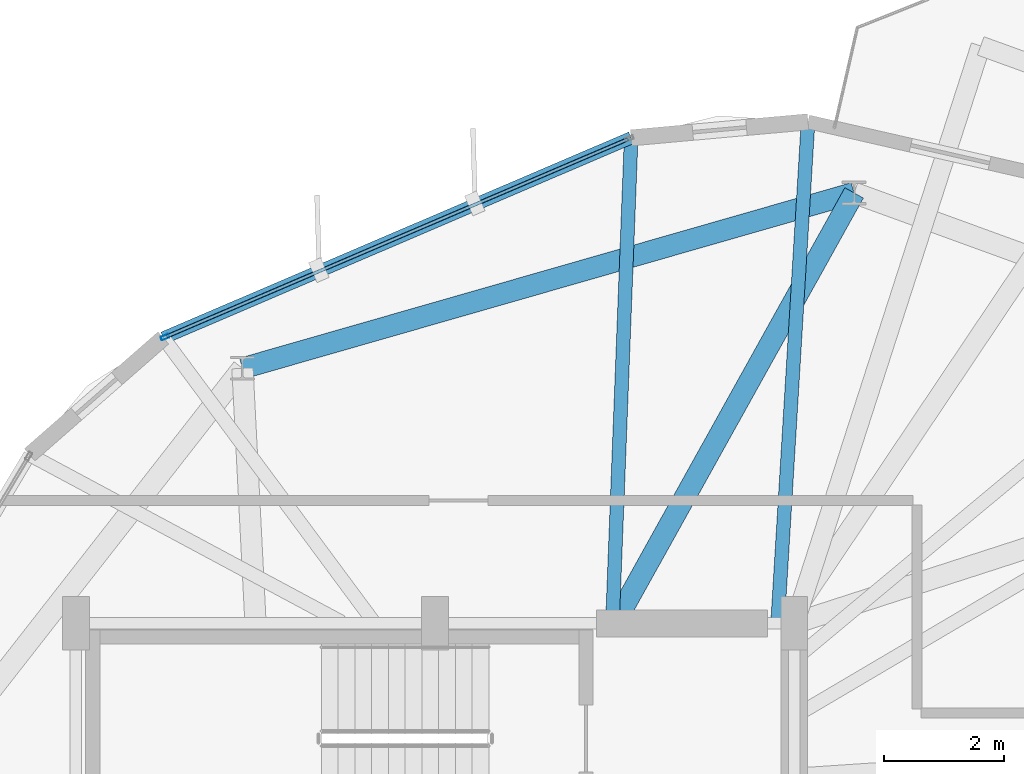
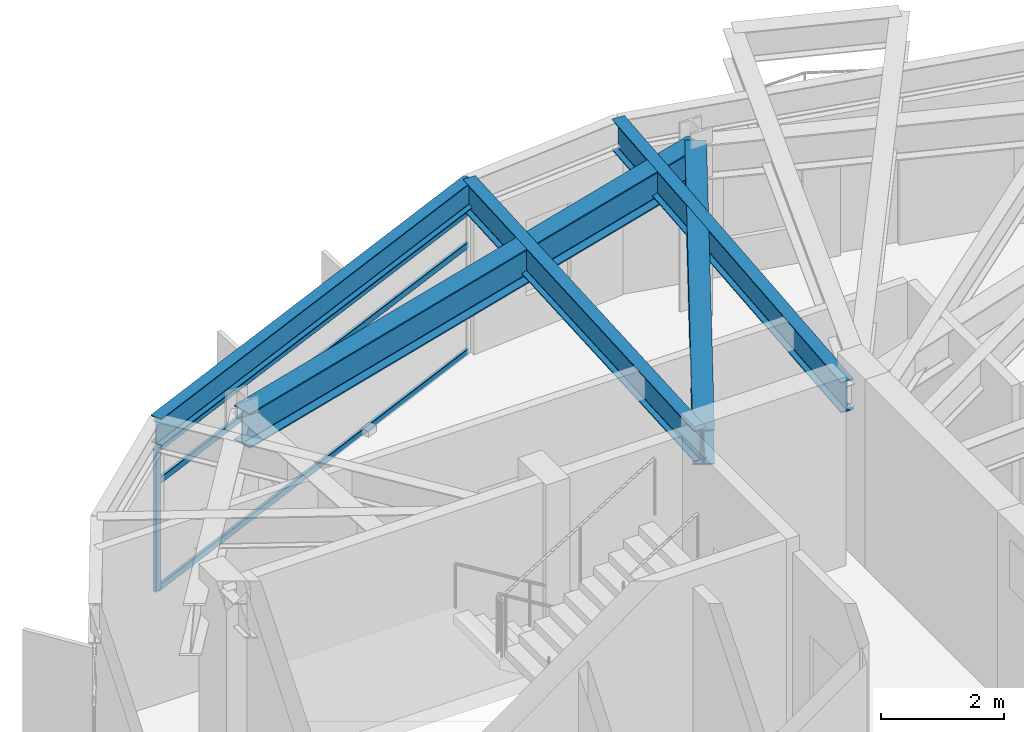
# One storey, part 14 of 23: 5 beams, 4 members, 1 element without a shape of its own.
"""IFC4 building model written with IfcOpenShell, lengths in metres."""

from ifc_helpers import new_model, si_unit, direction, frame, origin, origin_2d, place, context, subcontext, project, spatial, hollow_rectangle, i_section, extrude, material, layer, layer_set, material_profile, profile_set, type_object, element, aggregate, save


model = new_model("IFC4")

# Units and contexts
model_context = context("Model", 3, precision=1e-05, world=origin(), true_north=direction((0.0, 1.0)))
body_context = subcontext(model_context, "Body", "Model", "MODEL_VIEW")
ifc_project = project(units=[si_unit("LENGTHUNIT", "METRE"), si_unit("AREAUNIT", "SQUARE_METRE"), si_unit("VOLUMEUNIT", "CUBIC_METRE"), si_unit("PLANEANGLEUNIT", "RADIAN"), si_unit("MASSUNIT", "GRAM", prefix="KILO")], contexts=[model_context])

# Site, building, storey
site_placement = place(None, origin())
site = spatial("IfcSite", under=ifc_project, at=site_placement, CompositionType="ELEMENT")
building_placement = place(site_placement, origin())
building = spatial("IfcBuilding", under=site, at=building_placement, Name="Soratama Intermodal Tower", CompositionType="ELEMENT")
storey_placement = place(building_placement, frame((0.0, 0.0, 250.0)))
storey = spatial("IfcBuildingStorey", under=building, at=storey_placement, Name="L63", CompositionType="ELEMENT", Elevation=250.0)

# Beams
ifc_material_1 = material(Name="Structural steel ASTM A992 Grade 50", Category="steel")
ifc_material_profile_1 = material_profile(ifc_material_1, i_section(OverallWidth=0.35498046875, OverallDepth=0.695068359375, WebThickness=0.015380859375, FlangeThickness=0.02490234375, FilletRadius=0.01611328125, at=origin_2d()), Name="W27X146")
ifc_profile_set_1 = profile_set([ifc_material_profile_1], Name="Structural steel ASTM A992 Grade 50")
beam_type_1 = type_object("IfcBeamType", Name="BM-RING-W27X146", PredefinedType="BEAM", material=ifc_profile_set_1)
beam_1_placement = place(storey_placement, frame((45.60009765625, 42.18994140625, 3.1025390625), z_axis=(-0.961238292127, -0.275718961532, 0.0), x_axis=(0.275718961532, -0.961238292127, 0.0)))
element("IfcBeam", 1, at=beam_1_placement, inside=storey, type_object=beam_type_1, Name="BM-L63-RING-03", PredefinedType="BEAM", context=body_context, shape_type="SweptSolid", body=[
    extrude(i_section(OverallWidth=0.35498046875, OverallDepth=0.695068359375, WebThickness=0.015380859375, FlangeThickness=0.02490234375, FilletRadius=0.01611328125, at=origin_2d()), origin(), (0.0, 0.0, 1.0), 10.630126953125),
])
beam_2_placement = place(storey_placement, frame((41.60009765625, 35.0, 3.1025390625), z_axis=(0.486161842523, 0.873868790423, 0.0), x_axis=(-0.873868790423, 0.486161842523, 0.0)))
element("IfcBeam", 2, at=beam_2_placement, inside=storey, type_object=beam_type_1, Name="BM-L63-RAD-03", PredefinedType="BEAM", context=body_context, shape_type="SweptSolid", body=[
    extrude(i_section(OverallWidth=0.35498046875, OverallDepth=0.695068359375, WebThickness=0.015380859375, FlangeThickness=0.02490234375, FilletRadius=0.01611328125, at=origin_2d()), origin(), (0.0, 0.0, 1.0), 8.227783203125),
])
ifc_material_2 = material(Name="Structural steel ASTM A992 Grade 50", Category="steel")
ifc_material_profile_2 = material_profile(ifc_material_2, i_section(OverallWidth=0.2099609375, OverallDepth=0.537109375, WebThickness=0.010986328125, FlangeThickness=0.017333984375, FilletRadius=0.012939453125, at=origin_2d()), Name="W21X68")
ifc_profile_set_2 = profile_set([ifc_material_profile_2], Name="Structural steel ASTM A992 Grade 50")
beam_type_2 = type_object("IfcBeamType", Name="BM-SPN-W21X68", PredefinedType="SPANDREL", material=ifc_profile_set_2)
beam_3_placement = place(storey_placement, frame((41.875, 43.110107421875, 3.181396484375), z_axis=(-0.919410752321, -0.393298701391, 0.0), x_axis=(0.393298701391, -0.919410752321, 0.0)))
element("IfcBeam", 3, at=beam_3_placement, inside=storey, type_object=beam_type_2, Name="BS-L63-F02", PredefinedType="SPANDREL", context=body_context, shape_type="SweptSolid", body=[
    extrude(i_section(OverallWidth=0.2099609375, OverallDepth=0.537109375, WebThickness=0.010986328125, FlangeThickness=0.017333984375, FilletRadius=0.012939453125, at=origin_2d()), origin(), (0.0, 0.0, 1.0), 8.5),
])
ifc_material_3 = material(Name="Structural steel ASTM A992 Grade 50", Category="steel")
ifc_material_profile_3 = material_profile(ifc_material_3, i_section(OverallWidth=0.22900390625, OverallDepth=0.612060546875, WebThickness=0.011962890625, FlangeThickness=0.01953125, FilletRadius=0.012939453125, at=origin_2d()), Name="W24X84")
ifc_profile_set_3 = profile_set([ifc_material_profile_3], Name="Structural steel ASTM A992 Grade 50")
beam_type_3 = type_object("IfcBeamType", Name="BM-TIE-W24X84", PredefinedType="BEAM", material=ifc_profile_set_3)
beam_4_placement = place(storey_placement, frame((44.323974609375, 35.0400390625, 3.14404296875), z_axis=(0.060594786048, 0.998162447653, 0.0), x_axis=(-0.998162447653, 0.060594786048, 0.0)))
element("IfcBeam", 4, at=beam_4_placement, inside=storey, type_object=beam_type_3, Name="BM-L63-TIE1-01", PredefinedType="BEAM", context=body_context, shape_type="SweptSolid", body=[
    extrude(i_section(OverallWidth=0.22900390625, OverallDepth=0.612060546875, WebThickness=0.011962890625, FlangeThickness=0.01953125, FilletRadius=0.012939453125, at=origin_2d()), origin(), (0.0, 0.0, 1.0), 8.352294921875),
])
beam_5_placement = place(storey_placement, frame((41.56396484375, 35.0400390625, 3.14404296875), z_axis=(0.038513229681, 0.999258090355, 0.0), x_axis=(-0.999258090355, 0.038513229681, 0.0)))
element("IfcBeam", 5, at=beam_5_placement, inside=storey, type_object=beam_type_3, Name="BM-L63-TIE0-02", PredefinedType="BEAM", context=body_context, shape_type="SweptSolid", body=[
    extrude(i_section(OverallWidth=0.22900390625, OverallDepth=0.612060546875, WebThickness=0.011962890625, FlangeThickness=0.01953125, FilletRadius=0.012939453125, at=origin_2d()), origin(), (0.0, 0.0, 1.0), 8.076171875),
])

# Curtain wall, members
ifc_material_4 = material(Name="Double-glazed aluminium curtain wall", Category="aluminium")
ifc_layer = layer(ifc_material_4, 0.159912109375)
ifc_layer_set = layer_set([ifc_layer], Name="Double-glazed aluminium curtain wall")
curtain_wall_type = type_object("IfcCurtainWallType", Name="CW-SYS-5", PredefinedType="NOTDEFINED", material=ifc_layer_set)
curtain_wall_placement = place(storey_placement, origin())
curtain_wall = element("IfcCurtainWall", 6, at=curtain_wall_placement, inside=storey, type_object=curtain_wall_type, Name="L63 Faceted Curtain Wall F02", PredefinedType="NOTDEFINED")
ifc_material_5 = material(Name="Anodised aluminium AA 6063-T6", Category="aluminium")
ifc_material_profile_4 = material_profile(ifc_material_5, hollow_rectangle(XDim=0.06494140625, YDim=0.139892578125, WallThickness=0.0048828125, InnerFilletRadius=0.0048828125, OuterFilletRadius=0.010009765625, at=origin_2d()), Name="CWM140X65X5")
ifc_profile_set_4 = profile_set([ifc_material_profile_4], Name="Anodised aluminium AA 6063-T6")
member_type_1 = type_object("IfcMemberType", Name="MT-CWM-5", PredefinedType="MULLION", material=ifc_profile_set_4)
member_1_placement = place(storey_placement, frame((34.087890625, 39.779296875, 0.0), z_axis=(0.0, 0.0, 1.0), x_axis=(0.393298714752, -0.919410746606, 0.0)))
member_1 = element("IfcMember", 7, at=member_1_placement, type_object=member_type_1, Name="CW-5 mullion 2", PredefinedType="MULLION", context=body_context, shape_type="SweptSolid", body=[
    extrude(hollow_rectangle(XDim=0.06494140625, YDim=0.139892578125, WallThickness=0.0048828125, InnerFilletRadius=0.0048828125, OuterFilletRadius=0.010009765625, at=origin_2d()), origin(), (0.0, 0.0, 1.0), 2.8291015625),
])
ifc_material_6 = material(Name="Anodised aluminium AA 6063-T6", Category="aluminium")
ifc_material_profile_5 = material_profile(ifc_material_6, hollow_rectangle(XDim=0.06005859375, YDim=0.1298828125, WallThickness=0.0048828125, InnerFilletRadius=0.0048828125, OuterFilletRadius=0.010009765625, at=origin_2d()), Name="CWT130X60X5")
ifc_profile_set_5 = profile_set([ifc_material_profile_5], Name="Anodised aluminium AA 6063-T6")
member_type_2 = type_object("IfcMemberType", Name="TT-CWT-2", PredefinedType="USERDEFINED", material=ifc_profile_set_5)
member_2_placement = place(storey_placement, frame((41.820068359375, 43.0869140625, 0.030029296875), z_axis=(-0.919407031331, -0.393307399802, 0.0), x_axis=(0.393307399802, -0.919407031331, 0.0)))
member_2 = element("IfcMember", 8, at=member_2_placement, type_object=member_type_2, Name="CW-5 transom 1.1", ObjectType="TRANSOM", PredefinedType="USERDEFINED", context=body_context, shape_type="SweptSolid", body=[
    extrude(hollow_rectangle(XDim=0.06005859375, YDim=0.1298828125, WallThickness=0.0048828125, InnerFilletRadius=0.0048828125, OuterFilletRadius=0.010009765625, at=origin_2d()), origin(), (0.0, 0.0, 1.0), 8.3798828125),
])
member_3_placement = place(storey_placement, frame((41.820068359375, 43.0869140625, 2.14990234375), z_axis=(-0.919407031331, -0.393307399802, 0.0), x_axis=(0.393307399802, -0.919407031331, 0.0)))
member_3 = element("IfcMember", 9, at=member_3_placement, type_object=member_type_2, Name="CW-5 transom 1.2", ObjectType="TRANSOM", PredefinedType="USERDEFINED", context=body_context, shape_type="SweptSolid", body=[
    extrude(hollow_rectangle(XDim=0.06005859375, YDim=0.1298828125, WallThickness=0.0048828125, InnerFilletRadius=0.0048828125, OuterFilletRadius=0.010009765625, at=origin_2d()), origin(), (0.0, 0.0, 1.0), 8.3798828125),
])
member_4_placement = place(storey_placement, frame((41.820068359375, 43.0869140625, 2.799072265625), z_axis=(-0.919407031331, -0.393307399802, 0.0), x_axis=(0.393307399802, -0.919407031331, 0.0)))
member_4 = element("IfcMember", 10, at=member_4_placement, type_object=member_type_2, Name="CW-5 transom 1.3", ObjectType="TRANSOM", PredefinedType="USERDEFINED", context=body_context, shape_type="SweptSolid", body=[
    extrude(hollow_rectangle(XDim=0.06005859375, YDim=0.1298828125, WallThickness=0.0048828125, InnerFilletRadius=0.0048828125, OuterFilletRadius=0.010009765625, at=origin_2d()), origin(), (0.0, 0.0, 1.0), 8.3798828125),
])
aggregate(curtain_wall, [member_1, member_2, member_3, member_4])

save(model, "model.ifc")
